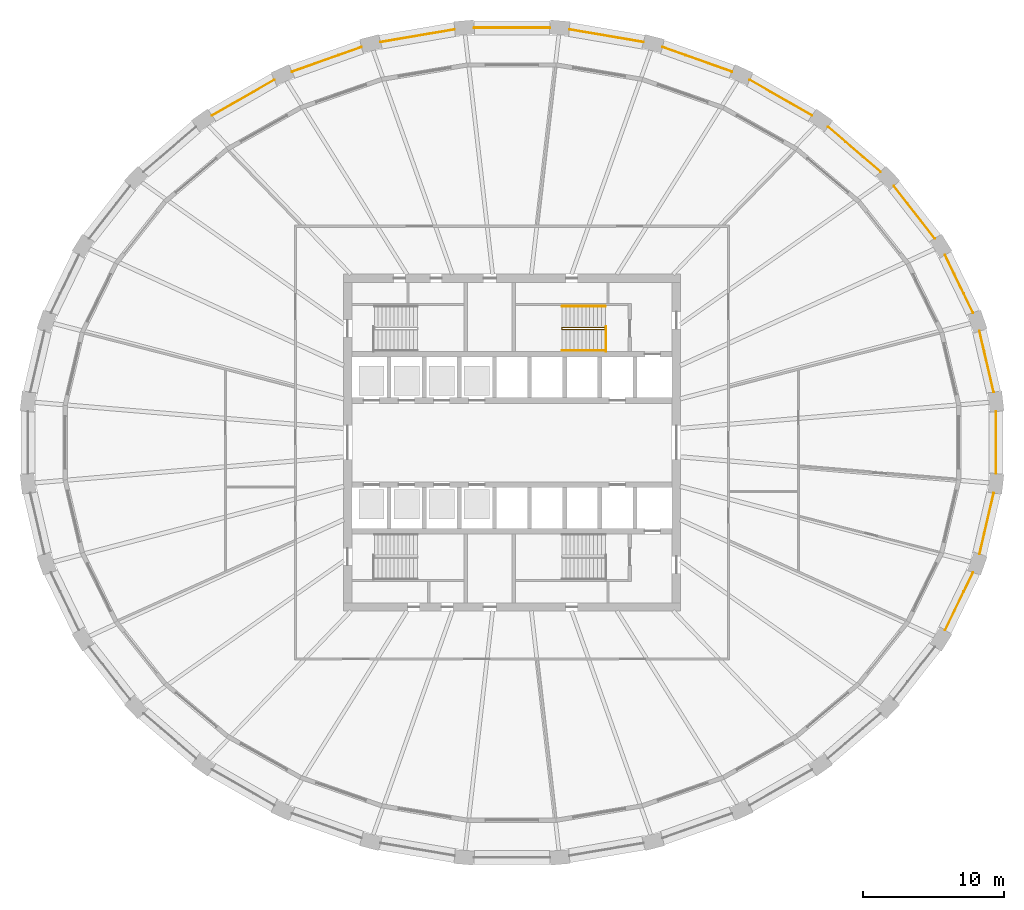
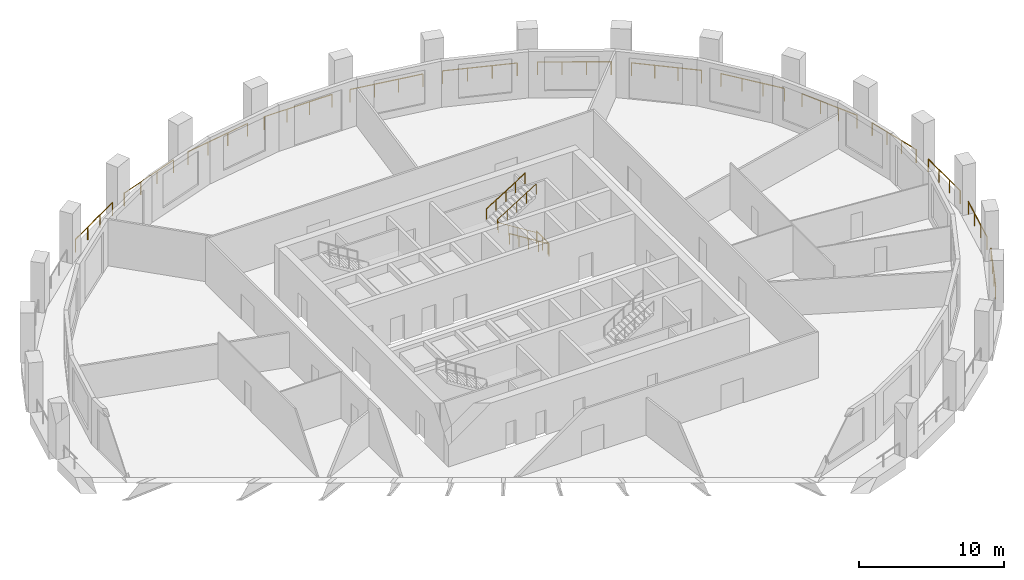
# One storey, part 9 of 10: 18 railings.
"""IFC4 building model written with IfcOpenShell, lengths in metres."""

from ifc_helpers import new_model, si_unit, direction, frame, origin, origin_2d, place, context, subcontext, project, spatial, circle, extrude, material, type_object, element, save


model = new_model("IFC4")

# Units and contexts
model_context = context("Model", 3, precision=1e-05, world=origin(), true_north=direction((0.0, 1.0)))
body_context = subcontext(model_context, "Body", "Model", "MODEL_VIEW")
ifc_project = project(units=[si_unit("LENGTHUNIT", "METRE"), si_unit("AREAUNIT", "SQUARE_METRE"), si_unit("VOLUMEUNIT", "CUBIC_METRE"), si_unit("PLANEANGLEUNIT", "RADIAN"), si_unit("MASSUNIT", "GRAM", prefix="KILO")], contexts=[model_context])

# Site, building, storey
site_placement = place(None, origin())
site = spatial("IfcSite", under=ifc_project, at=site_placement, CompositionType="ELEMENT")
building_placement = place(site_placement, origin())
building = spatial("IfcBuilding", under=site, at=building_placement, Name="Halqa Exchange Tower", CompositionType="ELEMENT")
storey_placement = place(building_placement, frame((0.0, 0.0, 129.699951171875)))
storey = spatial("IfcBuildingStorey", under=building, at=storey_placement, Name="L29", CompositionType="ELEMENT", Elevation=129.699951171875)

# Railings
ifc_material = material(Name="Stainless steel", Category="steel")
railing_type_1 = type_object("IfcRailingType", Name="Guard 1100 stainless steel", PredefinedType="GUARDRAIL", material=ifc_material)
railing_1_placement = place(storey_placement, frame((34.280517578125, 3.58935546875, 0.0)))
element("IfcRailing", 1, at=railing_1_placement, inside=storey, type_object=railing_type_1, Name="Loggia guard 1", PredefinedType="GUARDRAIL", context=body_context, shape_type="SweptSolid", body=[
    extrude(circle(Radius=0.02392578125, at=origin_2d()), frame((0.0, 0.0, 1.076171875), z_axis=(-0.226084201975, 0.974107762836, 0.0), x_axis=(-0.974107762836, -0.226084201975, 0.0)), (0.0, 0.0, 1.0), 4.454345703125),
    extrude(circle(Radius=0.02099609375, at=origin_2d()), origin(), (0.0, 0.0, 1.0), 1.052001953125),
    extrude(circle(Radius=0.02099609375, at=origin_2d()), frame((-0.335693359375, 1.4462890625, 0.0)), (0.0, 0.0, 1.0), 1.052001953125),
    extrude(circle(Radius=0.02099609375, at=origin_2d()), frame((-0.67138671875, 2.892822265625, 0.0)), (0.0, 0.0, 1.0), 1.052001953125),
    extrude(circle(Radius=0.02099609375, at=origin_2d()), frame((-1.007080078125, 4.339111328125, 0.0)), (0.0, 0.0, 1.0), 1.052001953125),
])
railing_2_placement = place(storey_placement, frame((32.810546875, 9.240478515625, 0.0)))
element("IfcRailing", 2, at=railing_2_placement, inside=storey, type_object=railing_type_1, Name="Loggia guard 2", PredefinedType="GUARDRAIL", context=body_context, shape_type="SweptSolid", body=[
    extrude(circle(Radius=0.02392578125, at=origin_2d()), frame((0.0, 0.0, 1.076171875), z_axis=(-0.435089925601, 0.900387003816, 0.0), x_axis=(-0.900387003816, -0.435089925601, 0.0)), (0.0, 0.0, 1.0), 4.56640625),
    extrude(circle(Radius=0.02099609375, at=origin_2d()), origin(), (0.0, 0.0, 1.0), 1.052001953125),
    extrude(circle(Radius=0.02099609375, at=origin_2d()), frame((-0.662353515625, 1.37060546875, 0.0)), (0.0, 0.0, 1.0), 1.052001953125),
    extrude(circle(Radius=0.02099609375, at=origin_2d()), frame((-1.324462890625, 2.740966796875, 0.0)), (0.0, 0.0, 1.0), 1.052001953125),
    extrude(circle(Radius=0.02099609375, at=origin_2d()), frame((-1.98681640625, 4.111572265625, 0.0)), (0.0, 0.0, 1.0), 1.052001953125),
])
railing_3_placement = place(storey_placement, frame((30.088623046875, 14.534423828125, 0.0)))
element("IfcRailing", 3, at=railing_3_placement, inside=storey, type_object=railing_type_1, Name="Loggia guard 3", PredefinedType="GUARDRAIL", context=body_context, shape_type="SweptSolid", body=[
    extrude(circle(Radius=0.02392578125, at=origin_2d()), frame((0.0, 0.0, 1.076171875), z_axis=(-0.614769268327, 0.788707009428, 0.0), x_axis=(-0.788707009428, -0.614769268327, 0.0)), (0.0, 0.0, 1.0), 4.730224609375),
    extrude(circle(Radius=0.02099609375, at=origin_2d()), origin(), (0.0, 0.0, 1.0), 1.052001953125),
    extrude(circle(Radius=0.02099609375, at=origin_2d()), frame((-0.96923828125, 1.24365234375, 0.0)), (0.0, 0.0, 1.0), 1.052001953125),
    extrude(circle(Radius=0.02099609375, at=origin_2d()), frame((-1.938720703125, 2.487060546875, 0.0)), (0.0, 0.0, 1.0), 1.052001953125),
    extrude(circle(Radius=0.02099609375, at=origin_2d()), frame((-2.907958984375, 3.730712890625, 0.0)), (0.0, 0.0, 1.0), 1.052001953125),
])
railing_4_placement = place(storey_placement, frame((26.21875, 19.272705078125, 0.0)))
element("IfcRailing", 4, at=railing_4_placement, inside=storey, type_object=railing_type_1, Name="Loggia guard 4", PredefinedType="GUARDRAIL", context=body_context, shape_type="SweptSolid", body=[
    extrude(circle(Radius=0.02392578125, at=origin_2d()), frame((0.0, 0.0, 1.076171875), z_axis=(-0.759260106659, 0.650787285091, 0.0), x_axis=(-0.650787285091, -0.759260106659, 0.0)), (0.0, 0.0, 1.0), 4.917724609375),
    extrude(circle(Radius=0.02099609375, at=origin_2d()), origin(), (0.0, 0.0, 1.0), 1.052001953125),
    extrude(circle(Radius=0.02099609375, at=origin_2d()), frame((-1.24462890625, 1.06689453125, 0.0)), (0.0, 0.0, 1.0), 1.052001953125),
    extrude(circle(Radius=0.02099609375, at=origin_2d()), frame((-2.4892578125, 2.133544921875, 0.0)), (0.0, 0.0, 1.0), 1.052001953125),
    extrude(circle(Radius=0.02099609375, at=origin_2d()), frame((-3.73388671875, 3.200439453125, 0.0)), (0.0, 0.0, 1.0), 1.052001953125),
])
railing_5_placement = place(storey_placement, frame((21.345947265625, 23.276611328125, 0.0)))
element("IfcRailing", 5, at=railing_5_placement, inside=storey, type_object=railing_type_1, Name="Loggia guard 5", PredefinedType="GUARDRAIL", context=body_context, shape_type="SweptSolid", body=[
    extrude(circle(Radius=0.02392578125, at=origin_2d()), frame((0.0, 0.0, 1.076171875), z_axis=(-0.867765525419, 0.496973835222, 0.0), x_axis=(-0.496973835222, -0.867765525419, 0.0)), (0.0, 0.0, 1.0), 5.10009765625),
    extrude(circle(Radius=0.02099609375, at=origin_2d()), origin(), (0.0, 0.0, 1.0), 1.052001953125),
    extrude(circle(Radius=0.02099609375, at=origin_2d()), frame((-1.475341796875, 0.844970703125, 0.0)), (0.0, 0.0, 1.0), 1.052001953125),
    extrude(circle(Radius=0.02099609375, at=origin_2d()), frame((-2.950439453125, 1.689697265625, 0.0)), (0.0, 0.0, 1.0), 1.052001953125),
    extrude(circle(Radius=0.02099609375, at=origin_2d()), frame((-4.42578125, 2.53466796875, 0.0)), (0.0, 0.0, 1.0), 1.052001953125),
])
railing_6_placement = place(storey_placement, frame((15.653076171875, 26.3935546875, 0.0)))
element("IfcRailing", 6, at=railing_6_placement, inside=storey, type_object=railing_type_1, Name="Loggia guard 6", PredefinedType="GUARDRAIL", context=body_context, shape_type="SweptSolid", body=[
    extrude(circle(Radius=0.02392578125, at=origin_2d()), frame((0.0, 0.0, 1.076171875), z_axis=(-0.942362020759, 0.334595011664, 0.0), x_axis=(-0.334595011664, -0.942362020759, 0.0)), (0.0, 0.0, 1.0), 5.250732421875),
    extrude(circle(Radius=0.02099609375, at=origin_2d()), origin(), (0.0, 0.0, 1.0), 1.052001953125),
    extrude(circle(Radius=0.02099609375, at=origin_2d()), frame((-1.6494140625, 0.585693359375, 0.0)), (0.0, 0.0, 1.0), 1.052001953125),
    extrude(circle(Radius=0.02099609375, at=origin_2d()), frame((-3.298583984375, 1.171142578125, 0.0)), (0.0, 0.0, 1.0), 1.052001953125),
    extrude(circle(Radius=0.02099609375, at=origin_2d()), frame((-4.947998046875, 1.7568359375, 0.0)), (0.0, 0.0, 1.0), 1.052001953125),
])
railing_7_placement = place(storey_placement, frame((9.35546875, 28.502197265625, 0.0)))
element("IfcRailing", 7, at=railing_7_placement, inside=storey, type_object=railing_type_1, Name="Loggia guard 7", PredefinedType="GUARDRAIL", context=body_context, shape_type="SweptSolid", body=[
    extrude(circle(Radius=0.02392578125, at=origin_2d()), frame((0.0, 0.0, 1.076171875), z_axis=(-0.985774069953, 0.168075825176, 0.0), x_axis=(-0.168075825176, -0.985774069953, 0.0)), (0.0, 0.0, 1.0), 5.349853515625),
    extrude(circle(Radius=0.02099609375, at=origin_2d()), origin(), (0.0, 0.0, 1.0), 1.052001953125),
    extrude(circle(Radius=0.02099609375, at=origin_2d()), frame((-1.7578125, 0.2998046875, 0.0)), (0.0, 0.0, 1.0), 1.052001953125),
    extrude(circle(Radius=0.02099609375, at=origin_2d()), frame((-3.515869140625, 0.599365234375, 0.0)), (0.0, 0.0, 1.0), 1.052001953125),
    extrude(circle(Radius=0.02099609375, at=origin_2d()), frame((-5.273681640625, 0.899169921875, 0.0)), (0.0, 0.0, 1.0), 1.052001953125),
])
railing_8_placement = place(storey_placement, frame((2.69189453125, 29.518798828125, 0.0)))
element("IfcRailing", 8, at=railing_8_placement, inside=storey, type_object=railing_type_1, Name="Loggia guard 8", PredefinedType="GUARDRAIL", context=body_context, shape_type="SweptSolid", body=[
    extrude(circle(Radius=0.02392578125, at=origin_2d()), frame((0.0, 0.0, 1.076171875), z_axis=(-1.0, 0.0, 0.0), x_axis=(0.0, -1.0, 0.0)), (0.0, 0.0, 1.0), 5.3837890625),
    extrude(circle(Radius=0.02099609375, at=origin_2d()), origin(), (0.0, 0.0, 1.0), 1.052001953125),
    extrude(circle(Radius=0.02099609375, at=origin_2d()), frame((-1.794677734375, 0.0, 0.0)), (0.0, 0.0, 1.0), 1.052001953125),
    extrude(circle(Radius=0.02099609375, at=origin_2d()), frame((-3.589111328125, 0.0, 0.0)), (0.0, 0.0, 1.0), 1.052001953125),
    extrude(circle(Radius=0.02099609375, at=origin_2d()), frame((-5.3837890625, 0.0, 0.0)), (0.0, 0.0, 1.0), 1.052001953125),
])
railing_9_placement = place(storey_placement, frame((-4.081787109375, 29.4013671875, 0.0)))
element("IfcRailing", 9, at=railing_9_placement, inside=storey, type_object=railing_type_1, Name="Loggia guard 9", PredefinedType="GUARDRAIL", context=body_context, shape_type="SweptSolid", body=[
    extrude(circle(Radius=0.02392578125, at=origin_2d()), frame((0.0, 0.0, 1.076171875), z_axis=(-0.985774069953, -0.168075825176, 0.0), x_axis=(0.168075825176, -0.985774069953, 0.0)), (0.0, 0.0, 1.0), 5.349853515625),
    extrude(circle(Radius=0.02099609375, at=origin_2d()), origin(), (0.0, 0.0, 1.0), 1.052001953125),
    extrude(circle(Radius=0.02099609375, at=origin_2d()), frame((-1.7578125, -0.2998046875, 0.0)), (0.0, 0.0, 1.0), 1.052001953125),
    extrude(circle(Radius=0.02099609375, at=origin_2d()), frame((-3.515869140625, -0.599365234375, 0.0)), (0.0, 0.0, 1.0), 1.052001953125),
    extrude(circle(Radius=0.02099609375, at=origin_2d()), frame((-5.273681640625, -0.899169921875, 0.0)), (0.0, 0.0, 1.0), 1.052001953125),
])
railing_10_placement = place(storey_placement, frame((-10.705078125, 28.150390625, 0.0)))
element("IfcRailing", 10, at=railing_10_placement, inside=storey, type_object=railing_type_1, Name="Loggia guard 10", PredefinedType="GUARDRAIL", context=body_context, shape_type="SweptSolid", body=[
    extrude(circle(Radius=0.02392578125, at=origin_2d()), frame((0.0, 0.0, 1.076171875), z_axis=(-0.942362020759, -0.334595011664, 0.0), x_axis=(0.334595011664, -0.942362020759, 0.0)), (0.0, 0.0, 1.0), 5.250732421875),
    extrude(circle(Radius=0.02099609375, at=origin_2d()), origin(), (0.0, 0.0, 1.0), 1.052001953125),
    extrude(circle(Radius=0.02099609375, at=origin_2d()), frame((-1.6494140625, -0.585693359375, 0.0)), (0.0, 0.0, 1.0), 1.052001953125),
    extrude(circle(Radius=0.02099609375, at=origin_2d()), frame((-3.298583984375, -1.171142578125, 0.0)), (0.0, 0.0, 1.0), 1.052001953125),
    extrude(circle(Radius=0.02099609375, at=origin_2d()), frame((-4.947998046875, -1.7568359375, 0.0)), (0.0, 0.0, 1.0), 1.052001953125),
])
railing_11_placement = place(storey_placement, frame((-16.920166015625, 25.811279296875, 0.0)))
element("IfcRailing", 11, at=railing_11_placement, inside=storey, type_object=railing_type_1, Name="Loggia guard 11", PredefinedType="GUARDRAIL", context=body_context, shape_type="SweptSolid", body=[
    extrude(circle(Radius=0.02392578125, at=origin_2d()), frame((0.0, 0.0, 1.076171875), z_axis=(-0.867765525419, -0.496973835222, 0.0), x_axis=(0.496973835222, -0.867765525419, 0.0)), (0.0, 0.0, 1.0), 5.10009765625),
    extrude(circle(Radius=0.02099609375, at=origin_2d()), origin(), (0.0, 0.0, 1.0), 1.052001953125),
    extrude(circle(Radius=0.02099609375, at=origin_2d()), frame((-1.475341796875, -0.844970703125, 0.0)), (0.0, 0.0, 1.0), 1.052001953125),
    extrude(circle(Radius=0.02099609375, at=origin_2d()), frame((-2.950439453125, -1.689697265625, 0.0)), (0.0, 0.0, 1.0), 1.052001953125),
    extrude(circle(Radius=0.02099609375, at=origin_2d()), frame((-4.42578125, -2.53466796875, 0.0)), (0.0, 0.0, 1.0), 1.052001953125),
])
railing_12_placement = place(storey_placement, frame((30.82373046875, -13.35205078125, 0.0)))
element("IfcRailing", 12, at=railing_12_placement, inside=storey, type_object=railing_type_1, Name="Loggia guard 30", PredefinedType="GUARDRAIL", context=body_context, shape_type="SweptSolid", body=[
    extrude(circle(Radius=0.02392578125, at=origin_2d()), frame((0.0, 0.0, 1.076171875), z_axis=(0.435089925601, 0.900387003816, 0.0), x_axis=(-0.900387003816, 0.435089925601, 0.0)), (0.0, 0.0, 1.0), 4.56640625),
    extrude(circle(Radius=0.02099609375, at=origin_2d()), origin(), (0.0, 0.0, 1.0), 1.052001953125),
    extrude(circle(Radius=0.02099609375, at=origin_2d()), frame((0.662353515625, 1.37060546875, 0.0)), (0.0, 0.0, 1.0), 1.052001953125),
    extrude(circle(Radius=0.02099609375, at=origin_2d()), frame((1.324462890625, 2.740966796875, 0.0)), (0.0, 0.0, 1.0), 1.052001953125),
    extrude(circle(Radius=0.02099609375, at=origin_2d()), frame((1.98681640625, 4.111572265625, 0.0)), (0.0, 0.0, 1.0), 1.052001953125),
])
railing_13_placement = place(storey_placement, frame((33.2734375, -7.928466796875, 0.0)))
element("IfcRailing", 13, at=railing_13_placement, inside=storey, type_object=railing_type_1, Name="Loggia guard 31", PredefinedType="GUARDRAIL", context=body_context, shape_type="SweptSolid", body=[
    extrude(circle(Radius=0.02392578125, at=origin_2d()), frame((0.0, 0.0, 1.076171875), z_axis=(0.226084201975, 0.974107762836, 0.0), x_axis=(-0.974107762836, 0.226084201975, 0.0)), (0.0, 0.0, 1.0), 4.454345703125),
    extrude(circle(Radius=0.02099609375, at=origin_2d()), origin(), (0.0, 0.0, 1.0), 1.052001953125),
    extrude(circle(Radius=0.02099609375, at=origin_2d()), frame((0.335693359375, 1.4462890625, 0.0)), (0.0, 0.0, 1.0), 1.052001953125),
    extrude(circle(Radius=0.02099609375, at=origin_2d()), frame((0.67138671875, 2.892822265625, 0.0)), (0.0, 0.0, 1.0), 1.052001953125),
    extrude(circle(Radius=0.02099609375, at=origin_2d()), frame((1.007080078125, 4.339111328125, 0.0)), (0.0, 0.0, 1.0), 1.052001953125),
])
railing_14_placement = place(storey_placement, frame((34.438720703125, -2.20751953125, 0.0)))
element("IfcRailing", 14, at=railing_14_placement, inside=storey, type_object=railing_type_1, Name="Loggia guard 32", PredefinedType="GUARDRAIL", context=body_context, shape_type="SweptSolid", body=[
    extrude(circle(Radius=0.02392578125, at=origin_2d()), frame((0.0, 0.0, 1.076171875), z_axis=(0.0, 1.0, 0.0), x_axis=(-1.0, 0.0, 0.0)), (0.0, 0.0, 1.0), 4.4150390625),
    extrude(circle(Radius=0.02099609375, at=origin_2d()), origin(), (0.0, 0.0, 1.0), 1.052001953125),
    extrude(circle(Radius=0.02099609375, at=origin_2d()), frame((0.0, 1.4716796875, 0.0)), (0.0, 0.0, 1.0), 1.052001953125),
    extrude(circle(Radius=0.02099609375, at=origin_2d()), frame((0.0, 2.943359375, 0.0)), (0.0, 0.0, 1.0), 1.052001953125),
    extrude(circle(Radius=0.02099609375, at=origin_2d()), frame((0.0, 4.4150390625, 0.0)), (0.0, 0.0, 1.0), 1.052001953125),
])
railing_type_2 = type_object("IfcRailingType", Name="Stair handrail 900", PredefinedType="HANDRAIL", material=ifc_material)
railing_15_placement = place(storey_placement, frame((6.64990234375, 8.06005859375, 0.175048828125)))
element("IfcRailing", 15, at=railing_15_placement, inside=storey, type_object=railing_type_2, Name="Handrail ST2.1", PredefinedType="HANDRAIL", context=body_context, shape_type="SweptSolid", body=[
    extrude(circle(Radius=0.02392578125, at=origin_2d()), frame((0.0, 0.0, 0.8759765625), z_axis=(-0.847979421464, 0.0, 0.530029150871), x_axis=(0.0, -1.0, 0.0)), (0.0, 0.0, 1.0), 3.632080078125),
    extrude(circle(Radius=0.02392578125, at=origin_2d()), frame((-3.079833984375, 0.0, 2.80078125), z_axis=(0.0, 0.595870227118, 0.803080738428), x_axis=(-1.0, 0.0, 0.0)), (0.0, 0.0, 1.0), 0.218017578125),
    extrude(circle(Radius=0.02392578125, at=origin_2d()), frame((-3.079833984375, 0.1298828125, 2.97607421875), z_axis=(0.848009633417, 0.0, 0.529980812513), x_axis=(0.0, 1.0, 0.0)), (0.0, 0.0, 1.0), 3.6318359375),
    extrude(circle(Radius=0.02099609375, at=origin_2d()), origin(), (0.0, 0.0, 1.0), 0.851806640625),
    extrude(circle(Radius=0.02099609375, at=origin_2d()), frame((-0.77001953125, 0.0, 0.481201171875)), (0.0, 0.0, 1.0), 0.851806640625),
    extrude(circle(Radius=0.02099609375, at=origin_2d()), frame((-1.5400390625, 0.0, 0.96240234375)), (0.0, 0.0, 1.0), 0.851806640625),
    extrude(circle(Radius=0.02099609375, at=origin_2d()), frame((-2.309814453125, 0.0, 1.44384765625)), (0.0, 0.0, 1.0), 0.851806640625),
    extrude(circle(Radius=0.02099609375, at=origin_2d()), frame((-3.079833984375, 0.0, 1.925048828125)), (0.0, 0.0, 1.0), 0.851806640625),
    extrude(circle(Radius=0.02099609375, at=origin_2d()), frame((-3.079833984375, 0.1298828125, 2.10009765625)), (0.0, 0.0, 1.0), 0.851806640625),
    extrude(circle(Radius=0.02099609375, at=origin_2d()), frame((-2.309814453125, 0.1298828125, 2.581298828125)), (0.0, 0.0, 1.0), 0.851806640625),
    extrude(circle(Radius=0.02099609375, at=origin_2d()), frame((-1.5400390625, 0.1298828125, 3.0625)), (0.0, 0.0, 1.0), 0.851806640625),
    extrude(circle(Radius=0.02099609375, at=origin_2d()), frame((-0.77001953125, 0.1298828125, 3.543701171875)), (0.0, 0.0, 1.0), 0.851806640625),
    extrude(circle(Radius=0.02099609375, at=origin_2d()), frame((0.0, 0.1298828125, 4.02490234375)), (0.0, 0.0, 1.0), 0.851806640625),
])
railing_16_placement = place(storey_placement, frame((6.64990234375, 6.550048828125, 0.175048828125)))
element("IfcRailing", 16, at=railing_16_placement, inside=storey, type_object=railing_type_2, Name="Handrail ST2.2", PredefinedType="HANDRAIL", context=body_context, shape_type="SweptSolid", body=[
    extrude(circle(Radius=0.02392578125, at=origin_2d()), frame((0.0, 0.0, 0.8759765625), z_axis=(-0.847979421464, 0.0, 0.530029150871), x_axis=(0.0, -1.0, 0.0)), (0.0, 0.0, 1.0), 3.632080078125),
    extrude(circle(Radius=0.02099609375, at=origin_2d()), origin(), (0.0, 0.0, 1.0), 0.851806640625),
    extrude(circle(Radius=0.02099609375, at=origin_2d()), frame((-0.77001953125, 0.0, 0.481201171875)), (0.0, 0.0, 1.0), 0.851806640625),
    extrude(circle(Radius=0.02099609375, at=origin_2d()), frame((-1.5400390625, 0.0, 0.96240234375)), (0.0, 0.0, 1.0), 0.851806640625),
    extrude(circle(Radius=0.02099609375, at=origin_2d()), frame((-2.309814453125, 0.0, 1.44384765625)), (0.0, 0.0, 1.0), 0.851806640625),
    extrude(circle(Radius=0.02099609375, at=origin_2d()), frame((-3.079833984375, 0.0, 1.925048828125)), (0.0, 0.0, 1.0), 0.851806640625),
])
railing_17_placement = place(storey_placement, frame((3.570068359375, 9.699951171875, 2.275146484375)))
element("IfcRailing", 17, at=railing_17_placement, inside=storey, type_object=railing_type_2, Name="Handrail ST2.3", PredefinedType="HANDRAIL", context=body_context, shape_type="SweptSolid", body=[
    extrude(circle(Radius=0.02392578125, at=origin_2d()), frame((0.0, 0.0, 0.8759765625), z_axis=(0.848009633417, 0.0, 0.529980812513), x_axis=(0.0, 1.0, 0.0)), (0.0, 0.0, 1.0), 3.6318359375),
    extrude(circle(Radius=0.02099609375, at=origin_2d()), origin(), (0.0, 0.0, 1.0), 0.851806640625),
    extrude(circle(Radius=0.02099609375, at=origin_2d()), frame((0.77001953125, 0.0, 0.481201171875)), (0.0, 0.0, 1.0), 0.851806640625),
    extrude(circle(Radius=0.02099609375, at=origin_2d()), frame((1.5400390625, 0.0, 0.96240234375)), (0.0, 0.0, 1.0), 0.851806640625),
    extrude(circle(Radius=0.02099609375, at=origin_2d()), frame((2.309814453125, 0.0, 1.443603515625)), (0.0, 0.0, 1.0), 0.851806640625),
    extrude(circle(Radius=0.02099609375, at=origin_2d()), frame((3.079833984375, 0.0, 1.9248046875)), (0.0, 0.0, 1.0), 0.851806640625),
])
railing_type_3 = type_object("IfcRailingType", Name="Stair well guard 1100", PredefinedType="GUARDRAIL", material=ifc_material)
railing_18_placement = place(storey_placement, frame((6.699951171875, 6.5, 0.0)))
element("IfcRailing", 18, at=railing_18_placement, inside=storey, type_object=railing_type_3, Name="Guard ST2 well", PredefinedType="GUARDRAIL", context=body_context, shape_type="SweptSolid", body=[
    extrude(circle(Radius=0.02392578125, at=origin_2d()), frame((0.0, 0.0, 1.076171875), z_axis=(0.0, 1.0, 0.0), x_axis=(-1.0, 0.0, 0.0)), (0.0, 0.0, 1.0), 1.75),
    extrude(circle(Radius=0.02099609375, at=origin_2d()), origin(), (0.0, 0.0, 1.0), 1.052001953125),
    extrude(circle(Radius=0.02099609375, at=origin_2d()), frame((0.0, 0.875, 0.0)), (0.0, 0.0, 1.0), 1.052001953125),
    extrude(circle(Radius=0.02099609375, at=origin_2d()), frame((0.0, 1.75, 0.0)), (0.0, 0.0, 1.0), 1.052001953125),
])

save(model, "model.ifc")
